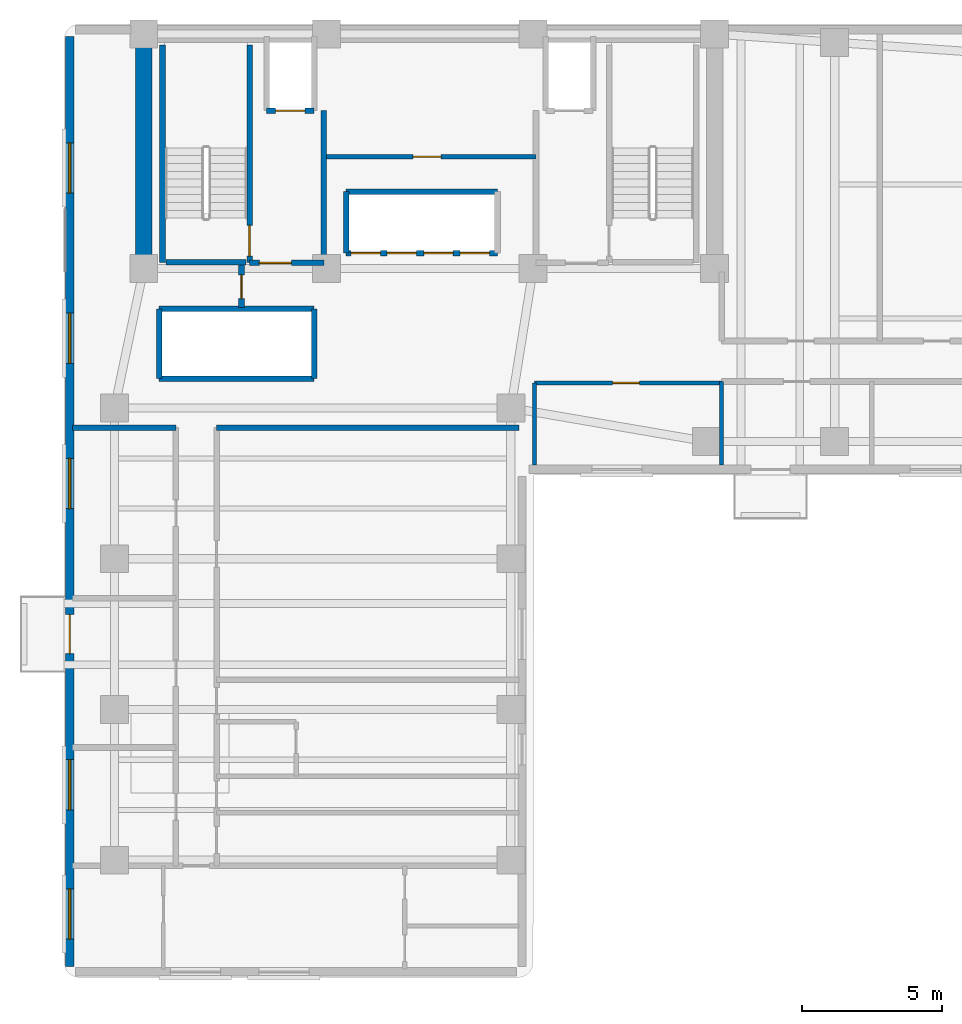
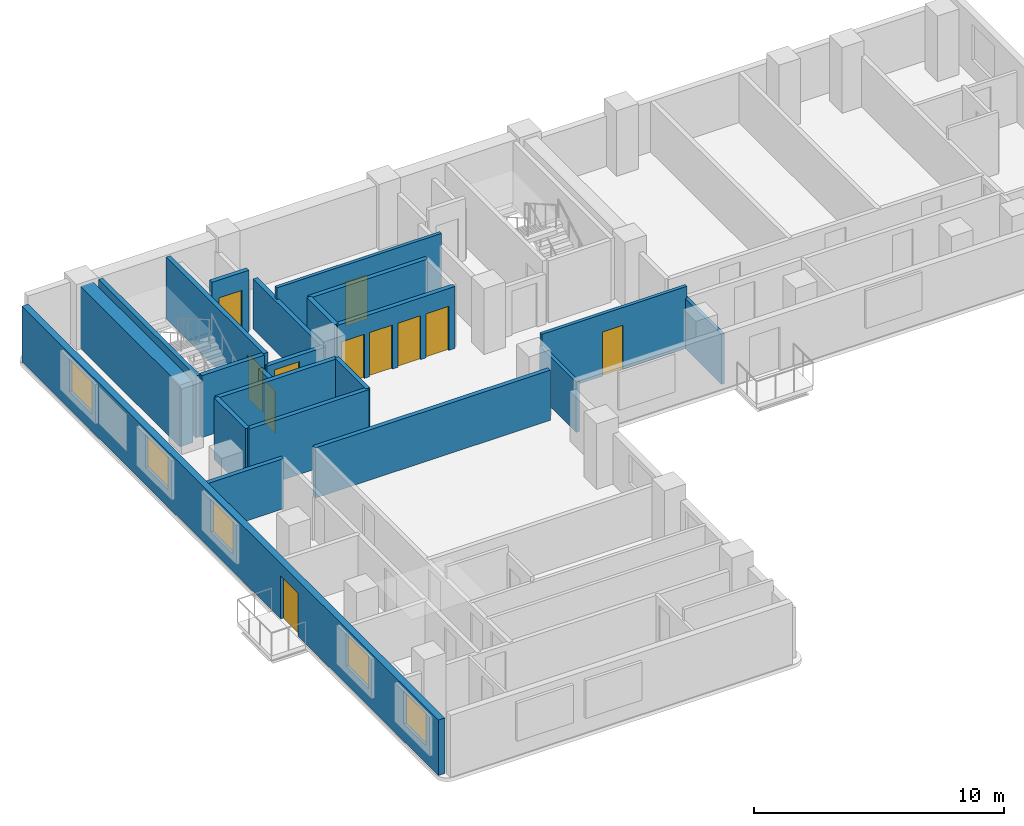
# One storey, part 3 of 7: 22 walls, 11 doors, 5 windows, 16 openings.
"""IFC4 building model written with IfcOpenShell, lengths in metres."""

from ifc_helpers import new_model, si_unit, direction, frame, frame_2d, origin, place, context, subcontext, project, spatial, rectangle, extrude, material, layer, layer_set, type_object, element, fill, save


model = new_model("IFC4")

# Units and contexts
model_context = context("Model", 3, precision=1e-05, world=origin(), true_north=direction((0.0, 1.0)))
body_context = subcontext(model_context, "Body", "Model", "MODEL_VIEW")
ifc_project = project(units=[si_unit("LENGTHUNIT", "METRE"), si_unit("AREAUNIT", "SQUARE_METRE"), si_unit("VOLUMEUNIT", "CUBIC_METRE"), si_unit("PLANEANGLEUNIT", "RADIAN"), si_unit("MASSUNIT", "GRAM", prefix="KILO")], contexts=[model_context])

# Site, building, storey
site_placement = place(None, origin())
site = spatial("IfcSite", under=ifc_project, at=site_placement, CompositionType="ELEMENT")
building_placement = place(site_placement, origin())
building = spatial("IfcBuilding", under=site, at=building_placement, Name="Kuzgunbayir Cultural Tower", CompositionType="ELEMENT")
storey_placement = place(building_placement, frame((0.0, 0.0, 126.60009765625)))
storey = spatial("IfcBuildingStorey", under=building, at=storey_placement, Name="L36", CompositionType="ELEMENT", Elevation=126.60009765625)

# Wall
ifc_material_1 = material(Name="Concrete C60/75", Category="concrete")
ifc_layer_1 = layer(ifc_material_1, 0.60009765625)
ifc_layer_set_1 = layer_set([ifc_layer_1], Name="Concrete C60/75")
wall_type_1 = type_object("IfcWallType", Name="WAL-CORE-600", PredefinedType="SHEAR", material=ifc_layer_set_1)
wall_1_placement = place(storey_placement, frame((6.449951171875, 33.800048828125, 0.0), z_axis=(0.0, 0.0, 1.0), x_axis=(0.0, 1.0, 0.0)))
element("IfcWall", 1, at=wall_1_placement, inside=storey, type_object=wall_type_1, Name="L36 T1 Core West Shear Wall", PredefinedType="SHEAR", context=body_context, shape_type="SweptSolid", body=[
    extrude(rectangle(XDim=7.949951171875, YDim=0.60009765625, at=frame_2d((3.97509765625, 0.0))), origin(), (0.0, 0.0, 1.0), 3.02001953125),
])

# Wall, openings, door, windows
ifc_material_2 = material(Name="Anatolian Cream Limestone", Category="masonry")
ifc_layer_2 = layer(ifc_material_2, 0.300048828125)
ifc_layer_set_2 = layer_set([ifc_layer_2], Name="Anatolian Cream Limestone")
wall_type_2 = type_object("IfcWallType", Name="WAL-EXT-STONE-300", PredefinedType="STANDARD", material=ifc_layer_set_2)
wall_2_placement = place(storey_placement, frame((3.800048828125, 42.10009765625, 0.0), z_axis=(0.0, 0.0, 1.0), x_axis=(0.0, -1.0, 0.0)))
wall_2 = element("IfcWall", 2, at=wall_2_placement, inside=storey, type_object=wall_type_2, Name="L36 Wing A West Limestone Wall", PredefinedType="STANDARD", context=body_context, shape_type="SweptSolid", body=[
    extrude(rectangle(XDim=33.300048828125, YDim=0.300048828125, at=frame_2d((16.64990234375, 0.0))), origin(), (0.0, 0.0, 1.0), 2.7099609375),
])
opening_1_placement = place(wall_2_placement, frame((20.699951171875, 0.0, 0.0)))
opening_1 = element("IfcOpeningElement", 3, at=opening_1_placement, cuts=wall_2, Name="Opening BD-15", PredefinedType="OPENING", context=body_context, shape_type="SweptSolid", body=[
    extrude(rectangle(XDim=1.39990234375, YDim=2.10009765625, at=frame_2d((0.699951171875, 1.050048828125))), frame((0.0, 0.16015625, 0.0), z_axis=(0.0, -1.0, 0.0), x_axis=(1.0, 0.0, 0.0)), (0.0, 0.0, 1.0), 0.320068359375),
])
opening_2_placement = place(wall_2_placement, frame((30.530029296875, 0.0, 0.85009765625)))
opening_2 = element("IfcOpeningElement", 4, at=opening_2_placement, cuts=wall_2, Name="Opening WH-18", PredefinedType="OPENING", context=body_context, shape_type="SweptSolid", body=[
    extrude(rectangle(XDim=1.800048828125, YDim=1.610107421875, at=frame_2d((0.89990234375, 0.80517578125))), frame((0.0, 0.16015625, 0.0), z_axis=(0.0, -1.0, 0.0), x_axis=(1.0, 0.0, 0.0)), (0.0, 0.0, 1.0), 0.320068359375),
])
opening_3_placement = place(wall_2_placement, frame((25.89990234375, 0.0, 0.85009765625)))
opening_3 = element("IfcOpeningElement", 5, at=opening_3_placement, cuts=wall_2, Name="Opening WH-18", PredefinedType="OPENING", context=body_context, shape_type="SweptSolid", body=[
    extrude(rectangle(XDim=1.800048828125, YDim=1.610107421875, at=frame_2d((0.89990234375, 0.80517578125))), frame((0.0, 0.16015625, 0.0), z_axis=(0.0, -1.0, 0.0), x_axis=(1.0, 0.0, 0.0)), (0.0, 0.0, 1.0), 0.320068359375),
])
opening_4_placement = place(wall_2_placement, frame((15.10009765625, 0.0, 0.85009765625)))
opening_4 = element("IfcOpeningElement", 6, at=opening_4_placement, cuts=wall_2, Name="Opening WH-18", PredefinedType="OPENING", context=body_context, shape_type="SweptSolid", body=[
    extrude(rectangle(XDim=1.800048828125, YDim=1.610107421875, at=frame_2d((0.89990234375, 0.80517578125))), frame((0.0, 0.16015625, 0.0), z_axis=(0.0, -1.0, 0.0), x_axis=(1.0, 0.0, 0.0)), (0.0, 0.0, 1.0), 0.320068359375),
])
opening_5_placement = place(wall_2_placement, frame((9.89990234375, 0.0, 0.85009765625)))
opening_5 = element("IfcOpeningElement", 7, at=opening_5_placement, cuts=wall_2, Name="Opening WH-18", PredefinedType="OPENING", context=body_context, shape_type="SweptSolid", body=[
    extrude(rectangle(XDim=1.800048828125, YDim=1.610107421875, at=frame_2d((0.89990234375, 0.80517578125))), frame((0.0, 0.16015625, 0.0), z_axis=(0.0, -1.0, 0.0), x_axis=(1.0, 0.0, 0.0)), (0.0, 0.0, 1.0), 0.320068359375),
])
opening_6_placement = place(wall_2_placement, frame((3.800048828125, 0.0, 0.85009765625)))
opening_6 = element("IfcOpeningElement", 8, at=opening_6_placement, cuts=wall_2, Name="Opening WH-18", PredefinedType="OPENING", context=body_context, shape_type="SweptSolid", body=[
    extrude(rectangle(XDim=1.800048828125, YDim=1.610107421875, at=frame_2d((0.89990234375, 0.80517578125))), frame((0.0, 0.16015625, 0.0), z_axis=(0.0, -1.0, 0.0), x_axis=(1.0, 0.0, 0.0)), (0.0, 0.0, 1.0), 0.320068359375),
])
ifc_material_3 = material(Name="Thermally Broken Glazed Aluminium", Category="aluminium")
door_type_1 = type_object("IfcDoorType", Name="DR-BALCONY-150", OperationType="SLIDING_TO_RIGHT", PredefinedType="DOOR", material=ifc_material_3)
door_1_placement = place(opening_1_placement, origin())
door_1 = element("IfcDoor", 9, at=door_1_placement, inside=storey, type_object=door_type_1, Name="L36 West Balcony Sliding Door BAL-L36-WA2", OperationType="SLIDING_TO_RIGHT", OverallHeight=2.10009765625, OverallWidth=1.39990234375, PredefinedType="DOOR", context=body_context, shape_type="SweptSolid", body=[
    extrude(rectangle(XDim=1.39990234375, YDim=2.10009765625, at=frame_2d((0.699951171875, 1.050048828125))), frame((0.0, 0.02490234375, 0.0), z_axis=(0.0, -1.0, 0.0), x_axis=(1.0, 0.0, 0.0)), (0.0, 0.0, 1.0), 0.050048828125),
])
fill(opening_1, door_1)
ifc_material_4 = material(Name="Solar-Control Triple Glazing", Category="glass")
window_type = type_object("IfcWindowType", Name="WIN-HOTEL-18", PartitioningType="SINGLE_PANEL", PredefinedType="WINDOW", material=ifc_material_4)
window_1_placement = place(opening_2_placement, origin())
window_1 = element("IfcWindow", 10, at=window_1_placement, inside=storey, type_object=window_type, Name="L36 WAW Facade Window 1", OverallHeight=1.610107421875, OverallWidth=1.800048828125, PartitioningType="SINGLE_PANEL", PredefinedType="WINDOW", context=body_context, shape_type="SweptSolid", body=[
    extrude(rectangle(XDim=1.800048828125, YDim=1.610107421875, at=frame_2d((0.89990234375, 0.80517578125))), frame((0.0, 0.030029296875, 0.0), z_axis=(0.0, -1.0, 0.0), x_axis=(1.0, 0.0, 0.0)), (0.0, 0.0, 1.0), 0.06005859375),
])
fill(opening_2, window_1)
window_2_placement = place(opening_3_placement, origin())
window_2 = element("IfcWindow", 11, at=window_2_placement, inside=storey, type_object=window_type, Name="L36 WAW Facade Window 6", OverallHeight=1.610107421875, OverallWidth=1.800048828125, PartitioningType="SINGLE_PANEL", PredefinedType="WINDOW", context=body_context, shape_type="SweptSolid", body=[
    extrude(rectangle(XDim=1.800048828125, YDim=1.610107421875, at=frame_2d((0.89990234375, 0.80517578125))), frame((0.0, 0.030029296875, 0.0), z_axis=(0.0, -1.0, 0.0), x_axis=(1.0, 0.0, 0.0)), (0.0, 0.0, 1.0), 0.06005859375),
])
fill(opening_3, window_2)
window_3_placement = place(opening_4_placement, origin())
window_3 = element("IfcWindow", 12, at=window_3_placement, inside=storey, type_object=window_type, Name="L36 WAW Facade Window 7", OverallHeight=1.610107421875, OverallWidth=1.800048828125, PartitioningType="SINGLE_PANEL", PredefinedType="WINDOW", context=body_context, shape_type="SweptSolid", body=[
    extrude(rectangle(XDim=1.800048828125, YDim=1.610107421875, at=frame_2d((0.89990234375, 0.80517578125))), frame((0.0, 0.030029296875, 0.0), z_axis=(0.0, -1.0, 0.0), x_axis=(1.0, 0.0, 0.0)), (0.0, 0.0, 1.0), 0.06005859375),
])
fill(opening_4, window_3)
window_4_placement = place(opening_5_placement, origin())
window_4 = element("IfcWindow", 13, at=window_4_placement, inside=storey, type_object=window_type, Name="L36 WAW Facade Window 8", OverallHeight=1.610107421875, OverallWidth=1.800048828125, PartitioningType="SINGLE_PANEL", PredefinedType="WINDOW", context=body_context, shape_type="SweptSolid", body=[
    extrude(rectangle(XDim=1.800048828125, YDim=1.610107421875, at=frame_2d((0.89990234375, 0.80517578125))), frame((0.0, 0.030029296875, 0.0), z_axis=(0.0, -1.0, 0.0), x_axis=(1.0, 0.0, 0.0)), (0.0, 0.0, 1.0), 0.06005859375),
])
fill(opening_5, window_4)
window_5_placement = place(opening_6_placement, origin())
window_5 = element("IfcWindow", 14, at=window_5_placement, inside=storey, type_object=window_type, Name="L36 WAW Facade Window 9", OverallHeight=1.610107421875, OverallWidth=1.800048828125, PartitioningType="SINGLE_PANEL", PredefinedType="WINDOW", context=body_context, shape_type="SweptSolid", body=[
    extrude(rectangle(XDim=1.800048828125, YDim=1.610107421875, at=frame_2d((0.89990234375, 0.80517578125))), frame((0.0, 0.030029296875, 0.0), z_axis=(0.0, -1.0, 0.0), x_axis=(1.0, 0.0, 0.0)), (0.0, 0.0, 1.0), 0.06005859375),
])
fill(opening_6, window_5)

# Wall, opening, door
ifc_material_5 = material(Name="Acoustic Double-Stud Drywall", Category="gypsum")
ifc_layer_3 = layer(ifc_material_5, 0.14990234375)
ifc_layer_set_3 = layer_set([ifc_layer_3], Name="Acoustic Double-Stud Drywall")
wall_type_3 = type_object("IfcWallType", Name="WAL-PART-ACOUSTIC-150", PredefinedType="PARTITIONING", material=ifc_layer_set_3)
wall_3_placement = place(storey_placement, frame((12.89990234375, 37.800048828125, 0.0), z_axis=(0.0, 0.0, 1.0), x_axis=(1.0, 0.0, 0.0)))
wall_3 = element("IfcWall", 15, at=wall_3_placement, inside=storey, type_object=wall_type_3, Name="L36 Repurposed Core Suite Wall", PredefinedType="PARTITIONING", context=body_context, shape_type="SweptSolid", body=[
    extrude(rectangle(XDim=7.60009765625, YDim=0.14990234375, at=frame_2d((3.800048828125, 0.0))), origin(), (0.0, 0.0, 1.0), 3.02001953125),
])
opening_7_placement = place(wall_3_placement, frame((3.199951171875, 0.0, 0.0)))
opening_7 = element("IfcOpeningElement", 16, at=opening_7_placement, cuts=wall_3, Name="Opening DC-100", PredefinedType="OPENING", context=body_context, shape_type="SweptSolid", body=[
    extrude(rectangle(XDim=1.0, YDim=2.14990234375, at=frame_2d((0.5, 1.074951171875))), frame((0.0, 0.0849609375, 0.0), z_axis=(0.0, -1.0, 0.0), x_axis=(1.0, 0.0, 0.0)), (0.0, 0.0, 1.0), 0.169921875),
])
ifc_material_6 = material(Name="Fire-Rated Veneered Oak Leaf", Category="wood")
door_type_2 = type_object("IfcDoorType", Name="DR-CORE-100", OperationType="NOTDEFINED", PredefinedType="DOOR", material=ifc_material_6)
door_2_placement = place(opening_7_placement, origin())
door_2 = element("IfcDoor", 17, at=door_2_placement, inside=storey, type_object=door_type_2, Name="L36 Core Reading Salon Door", OperationType="SINGLE_SWING_RIGHT", OverallHeight=2.14990234375, OverallWidth=1.0, PredefinedType="DOOR", context=body_context, shape_type="SweptSolid", body=[
    extrude(rectangle(XDim=1.0, YDim=2.14990234375, at=frame_2d((0.5, 1.074951171875))), frame((0.0, 0.02490234375, 0.0), z_axis=(0.0, -1.0, 0.0), x_axis=(1.0, 0.0, 0.0)), (0.0, 0.0, 1.0), 0.050048828125),
])
fill(opening_7, door_2)

wall_4_placement = place(storey_placement, frame((20.449951171875, 29.699951171875, 0.0), z_axis=(0.0, 0.0, 1.0), x_axis=(1.0, 0.0, 0.0)))
wall_4 = element("IfcWall", 18, at=wall_4_placement, inside=storey, type_object=wall_type_3, Name="L36 Waist Alcove North Wall", PredefinedType="PARTITIONING", context=body_context, shape_type="SweptSolid", body=[
    extrude(rectangle(XDim=6.699951171875, YDim=0.14990234375, at=frame_2d((3.35009765625, 0.0))), origin(), (0.0, 0.0, 1.0), 3.02001953125),
])
opening_8_placement = place(wall_4_placement, frame((2.800048828125, 0.0, 0.0)))
opening_8 = element("IfcOpeningElement", 19, at=opening_8_placement, cuts=wall_4, Name="Opening DI-90", PredefinedType="OPENING", context=body_context, shape_type="SweptSolid", body=[
    extrude(rectangle(XDim=0.949951171875, YDim=2.14990234375, at=frame_2d((0.47509765625, 1.074951171875))), frame((0.0, 0.0849609375, 0.0), z_axis=(0.0, -1.0, 0.0), x_axis=(1.0, 0.0, 0.0)), (0.0, 0.0, 1.0), 0.169921875),
])
ifc_material_7 = material(Name="Veneered Oak Single Leaf", Category="wood")
door_type_3 = type_object("IfcDoorType", Name="DR-INT-90", OperationType="NOTDEFINED", PredefinedType="DOOR", material=ifc_material_7)
door_3_placement = place(opening_8_placement, origin())
door_3 = element("IfcDoor", 20, at=door_3_placement, inside=storey, type_object=door_type_3, Name="L36 Waist Alcove Door", OperationType="SINGLE_SWING_RIGHT", OverallHeight=2.14990234375, OverallWidth=0.949951171875, PredefinedType="DOOR", context=body_context, shape_type="SweptSolid", body=[
    extrude(rectangle(XDim=0.949951171875, YDim=2.14990234375, at=frame_2d((0.47509765625, 1.074951171875))), frame((0.0, 0.02490234375, 0.0), z_axis=(0.0, -1.0, 0.0), x_axis=(1.0, 0.0, 0.0)), (0.0, 0.0, 1.0), 0.050048828125),
])
fill(opening_8, door_3)

# Walls
wall_5_placement = place(storey_placement, frame((20.449951171875, 26.75, 0.0), z_axis=(0.0, 0.0, 1.0), x_axis=(0.0, 1.0, 0.0)))
element("IfcWall", 21, at=wall_5_placement, inside=storey, type_object=wall_type_3, Name="L36 Waist Alcove West Wall", PredefinedType="PARTITIONING", context=body_context, shape_type="SweptSolid", body=[
    extrude(rectangle(XDim=2.949951171875, YDim=0.14990234375, at=frame_2d((1.47509765625, 0.0))), origin(), (0.0, 0.0, 1.0), 2.449951171875),
])
wall_6_placement = place(storey_placement, frame((27.14990234375, 26.75, 0.0), z_axis=(0.0, 0.0, 1.0), x_axis=(0.0, 1.0, 0.0)))
element("IfcWall", 22, at=wall_6_placement, inside=storey, type_object=wall_type_3, Name="L36 Waist Alcove East Wall", PredefinedType="PARTITIONING", context=body_context, shape_type="SweptSolid", body=[
    extrude(rectangle(XDim=3.0, YDim=0.14990234375, at=frame_2d((1.5, 0.0))), origin(), (0.0, 0.0, 1.0), 2.449951171875),
])
ifc_material_8 = material(Name="Aerated Concrete Blockwork", Category="masonry")
ifc_layer_4 = layer(ifc_material_8, 0.199951171875)
ifc_layer_set_4 = layer_set([ifc_layer_4], Name="Aerated Concrete Blockwork")
wall_type_4 = type_object("IfcWallType", Name="WAL-PART-FIRE-200", PredefinedType="PARTITIONING", material=ifc_layer_set_4)
wall_7_placement = place(storey_placement, frame((12.89990234375, 34.0, 0.0), z_axis=(0.0, 0.0, 1.0), x_axis=(0.0, 1.0, 0.0)))
element("IfcWall", 23, at=wall_7_placement, inside=storey, type_object=wall_type_4, Name="L36 FFL-1 Lobby East Fire Wall", PredefinedType="PARTITIONING", context=body_context, shape_type="SweptSolid", body=[
    extrude(rectangle(XDim=5.449951171875, YDim=0.199951171875, at=frame_2d((2.72509765625, 0.0))), origin(), (0.0, 0.0, 1.0), 2.449951171875),
])

# Wall, opening, door
wall_8_placement = place(storey_placement, frame((10.239990234375, 34.0, 0.0), z_axis=(0.0, 0.0, 1.0), x_axis=(1.0, 0.0, 0.0)))
wall_8 = element("IfcWall", 24, at=wall_8_placement, inside=storey, type_object=wall_type_4, Name="L36 FFL-1 Lobby South Fire Wall", PredefinedType="PARTITIONING", context=body_context, shape_type="SweptSolid", body=[
    extrude(rectangle(XDim=2.659912109375, YDim=0.199951171875, at=frame_2d((1.330078125, 0.0))), origin(), (0.0, 0.0, 1.0), 2.449951171875),
])
opening_9_placement = place(wall_8_placement, frame((0.35009765625, 0.0, 0.0)))
opening_9 = element("IfcOpeningElement", 25, at=opening_9_placement, cuts=wall_8, Name="Opening DR-FFL-90", PredefinedType="OPENING", context=body_context, shape_type="SweptSolid", body=[
    extrude(rectangle(XDim=1.14990234375, YDim=2.14990234375, at=frame_2d((0.574951171875, 1.074951171875))), frame((0.0, 0.10986328125, 0.0), z_axis=(0.0, -1.0, 0.0), x_axis=(1.0, 0.0, 0.0)), (0.0, 0.0, 1.0), 0.219970703125),
])
ifc_material_9 = material(Name="Steel S355J2", Category="steel")
door_type_4 = type_object("IfcDoorType", Name="DR-FFL-90", OperationType="NOTDEFINED", PredefinedType="DOOR", material=ifc_material_9)
door_4_placement = place(opening_9_placement, origin())
door_4 = element("IfcDoor", 26, at=door_4_placement, inside=storey, type_object=door_type_4, Name="L36 Firefighting Lobby 1 Door", OperationType="SINGLE_SWING_LEFT", OverallHeight=2.14990234375, OverallWidth=1.14990234375, PredefinedType="DOOR", context=body_context, shape_type="SweptSolid", body=[
    extrude(rectangle(XDim=1.14990234375, YDim=2.14990234375, at=frame_2d((0.574951171875, 1.074951171875))), frame((0.0, 0.02490234375, 0.0), z_axis=(0.0, -1.0, 0.0), x_axis=(1.0, 0.0, 0.0)), (0.0, 0.0, 1.0), 0.050048828125),
])
fill(opening_9, door_4)

wall_9_placement = place(storey_placement, frame((9.949951171875, 32.39990234375, 0.0), z_axis=(0.0, 0.0, 1.0), x_axis=(0.0, 1.0, 0.0)))
wall_9 = element("IfcWall", 27, at=wall_9_placement, inside=storey, type_object=wall_type_4, Name="L36 West Core Service Closet Wall", PredefinedType="PARTITIONING", context=body_context, shape_type="SweptSolid", body=[
    extrude(rectangle(XDim=1.52001953125, YDim=0.199951171875, at=frame_2d((0.760009765625, 0.0))), origin(), (0.0, 0.0, 1.0), 2.449951171875),
])
opening_10_placement = place(wall_9_placement, frame((0.320068359375, 0.0, 0.0)))
opening_10 = element("IfcOpeningElement", 28, at=opening_10_placement, cuts=wall_9, Name="Opening DR-RSR-60", PredefinedType="OPENING", context=body_context, shape_type="SweptSolid", body=[
    extrude(rectangle(XDim=0.85009765625, YDim=2.050048828125, at=frame_2d((0.425048828125, 1.02490234375))), frame((0.0, 0.10986328125, 0.0), z_axis=(0.0, -1.0, 0.0), x_axis=(1.0, 0.0, 0.0)), (0.0, 0.0, 1.0), 0.219970703125),
])
ifc_material_10 = material(Name="Steel Access Leaf", Category="steel")
door_type_5 = type_object("IfcDoorType", Name="DR-RISER-60", OperationType="NOTDEFINED", PredefinedType="DOOR", material=ifc_material_10)
door_5_placement = place(opening_10_placement, origin())
door_5 = element("IfcDoor", 29, at=door_5_placement, inside=storey, type_object=door_type_5, Name="L36 Cleaner Utility Store Door", OperationType="SINGLE_SWING_LEFT", OverallHeight=2.050048828125, OverallWidth=0.85009765625, PredefinedType="DOOR", context=body_context, shape_type="SweptSolid", body=[
    extrude(rectangle(XDim=0.85009765625, YDim=2.050048828125, at=frame_2d((0.425048828125, 1.02490234375))), frame((0.0, 0.02490234375, 0.0), z_axis=(0.0, -1.0, 0.0), x_axis=(1.0, 0.0, 0.0)), (0.0, 0.0, 1.0), 0.050048828125),
])
fill(opening_10, door_5)

# Walls
wall_10_placement = place(storey_placement, frame((3.89990234375, 28.10009765625, 0.0), z_axis=(0.0, 0.0, 1.0), x_axis=(1.0, 0.0, 0.0)))
element("IfcWall", 30, at=wall_10_placement, inside=storey, type_object=wall_type_4, Name="L36 North West Partition", PredefinedType="PARTITIONING", context=body_context, shape_type="SweptSolid", body=[
    extrude(rectangle(XDim=3.7001953125, YDim=0.199951171875, at=frame_2d((1.85009765625, 0.0))), origin(), (0.0, 0.0, 1.0), 2.449951171875),
])
wall_11_placement = place(storey_placement, frame((9.06005859375, 28.10009765625, 0.0), z_axis=(0.0, 0.0, 1.0), x_axis=(1.0, 0.0, 0.0)))
element("IfcWall", 31, at=wall_11_placement, inside=storey, type_object=wall_type_4, Name="L36 North East Partition", PredefinedType="PARTITIONING", context=body_context, shape_type="SweptSolid", body=[
    extrude(rectangle(XDim=10.83984375, YDim=0.199951171875, at=frame_2d((5.419921875, 0.0))), origin(), (0.0, 0.0, 1.0), 2.449951171875),
])
ifc_material_11 = material(Name="Concrete C40/50", Category="concrete")
ifc_layer_5 = layer(ifc_material_11, 0.199951171875)
ifc_layer_set_5 = layer_set([ifc_layer_5], Name="Concrete C40/50")
wall_type_5 = type_object("IfcWallType", Name="WAL-SHAFT-200", PredefinedType="MOVABLE", material=ifc_layer_set_5)
for number, where, z_axis, x_axis, name in (
    (32, (7.0, 29.85009765625, 0.0), (0.0, 0.0, 1.0), (1.0, 0.0, 0.0), "L36 High-Rise Lift Shaft South Wall"),
    (33, (7.0, 32.35009765625, 0.0), (0.0, 0.0, 1.0), (1.0, 0.0, 0.0), "L36 High-Rise Lift Shaft North Wall"),
):
    element("IfcWall", number, at=place(storey_placement, frame(where, z_axis=z_axis, x_axis=x_axis)), inside=storey, type_object=wall_type_5, Name=name, PredefinedType="MOVABLE", context=body_context, shape_type="SweptSolid", body=[
        extrude(rectangle(XDim=5.550048828125, YDim=0.199951171875, at=frame_2d((2.77490234375, 0.0))), origin(), (0.0, 0.0, 1.0), 3.02001953125),
    ])
for number, where, z_axis, x_axis, name in (
    (34, (7.0, 29.85009765625, 0.0), (0.0, 0.0, 1.0), (0.0, 1.0, 0.0), "L36 High-Rise Lift Shaft West Wall"),
    (35, (12.550048828125, 29.85009765625, 0.0), (0.0, 0.0, 1.0), (0.0, 1.0, 0.0), "L36 High-Rise Lift Shaft East Wall"),
):
    element("IfcWall", number, at=place(storey_placement, frame(where, z_axis=z_axis, x_axis=x_axis)), inside=storey, type_object=wall_type_5, Name=name, PredefinedType="MOVABLE", context=body_context, shape_type="SweptSolid", body=[
        extrude(rectangle(XDim=2.5, YDim=0.199951171875, at=frame_2d((1.25, 0.0))), origin(), (0.0, 0.0, 1.0), 3.02001953125),
    ])

# Wall, opening, door
wall_12_placement = place(storey_placement, frame((10.85009765625, 39.449951171875, 0.0), z_axis=(0.0, 0.0, 1.0), x_axis=(1.0, 0.0, 0.0)))
wall_12 = element("IfcWall", 36, at=wall_12_placement, inside=storey, type_object=wall_type_5, Name="L36 FFL-1 Lift Front Wall", PredefinedType="MOVABLE", context=body_context, shape_type="SweptSolid", body=[
    extrude(rectangle(XDim=1.699951171875, YDim=0.199951171875, at=frame_2d((0.85009765625, 0.0))), origin(), (0.0, 0.0, 1.0), 3.02001953125),
])
opening_11_placement = place(wall_12_placement, frame((0.320068359375, 0.0, 0.0)))
opening_11 = element("IfcOpeningElement", 37, at=opening_11_placement, cuts=wall_12, Name="Opening LD", PredefinedType="OPENING", context=body_context, shape_type="SweptSolid", body=[
    extrude(rectangle(XDim=1.050048828125, YDim=2.14990234375, at=frame_2d((0.52490234375, 1.074951171875))), frame((0.0, 0.10986328125, 0.0), z_axis=(0.0, -1.0, 0.0), x_axis=(1.0, 0.0, 0.0)), (0.0, 0.0, 1.0), 0.219970703125),
])
ifc_material_12 = material(Name="Brushed Stainless Steel", Category="steel")
door_type_6 = type_object("IfcDoorType", Name="DR-LIFT-LANDING", OperationType="SLIDING_TO_LEFT", PredefinedType="DOOR", material=ifc_material_12)
door_6_placement = place(opening_11_placement, origin())
door_6 = element("IfcDoor", 38, at=door_6_placement, inside=storey, type_object=door_type_6, Name="L36 Lift FFL-1 Landing Door", OperationType="SLIDING_TO_LEFT", OverallHeight=2.14990234375, OverallWidth=1.050048828125, PredefinedType="DOOR", context=body_context, shape_type="SweptSolid", body=[
    extrude(rectangle(XDim=1.050048828125, YDim=2.14990234375, at=frame_2d((0.52490234375, 1.074951171875))), frame((0.0, 0.02490234375, 0.0), z_axis=(0.0, -1.0, 0.0), x_axis=(1.0, 0.0, 0.0)), (0.0, 0.0, 1.0), 0.050048828125),
])
fill(opening_11, door_6)

# Wall, openings, doors
wall_13_placement = place(storey_placement, frame((13.699951171875, 34.35009765625, 0.0), z_axis=(0.0, 0.0, 1.0), x_axis=(1.0, 0.0, 0.0)))
wall_13 = element("IfcWall", 39, at=wall_13_placement, inside=storey, type_object=wall_type_5, Name="L36 Mid-Rise Lift Front Wall", PredefinedType="MOVABLE", context=body_context, shape_type="SweptSolid", body=[
    extrude(rectangle(XDim=5.420166015625, YDim=0.199951171875, at=frame_2d((2.7099609375, 0.0))), origin(), (0.0, 0.0, 1.0), 3.02001953125),
])
opening_12_placement = place(wall_13_placement, frame((0.179931640625, 0.0, 0.0)))
opening_12 = element("IfcOpeningElement", 40, at=opening_12_placement, cuts=wall_13, Name="Opening LD", PredefinedType="OPENING", context=body_context, shape_type="SweptSolid", body=[
    extrude(rectangle(XDim=1.050048828125, YDim=2.14990234375, at=frame_2d((0.52490234375, 1.074951171875))), frame((0.0, 0.10986328125, 0.0), z_axis=(0.0, -1.0, 0.0), x_axis=(1.0, 0.0, 0.0)), (0.0, 0.0, 1.0), 0.219970703125),
])
opening_13_placement = place(wall_13_placement, frame((1.469970703125, 0.0, 0.0)))
opening_13 = element("IfcOpeningElement", 41, at=opening_13_placement, cuts=wall_13, Name="Opening LD", PredefinedType="OPENING", context=body_context, shape_type="SweptSolid", body=[
    extrude(rectangle(XDim=1.050048828125, YDim=2.14990234375, at=frame_2d((0.52490234375, 1.074951171875))), frame((0.0, 0.10986328125, 0.0), z_axis=(0.0, -1.0, 0.0), x_axis=(1.0, 0.0, 0.0)), (0.0, 0.0, 1.0), 0.219970703125),
])
opening_14_placement = place(wall_13_placement, frame((2.780029296875, 0.0, 0.0)))
opening_14 = element("IfcOpeningElement", 42, at=opening_14_placement, cuts=wall_13, Name="Opening LD", PredefinedType="OPENING", context=body_context, shape_type="SweptSolid", body=[
    extrude(rectangle(XDim=1.050048828125, YDim=2.14990234375, at=frame_2d((0.52490234375, 1.074951171875))), frame((0.0, 0.10986328125, 0.0), z_axis=(0.0, -1.0, 0.0), x_axis=(1.0, 0.0, 0.0)), (0.0, 0.0, 1.0), 0.219970703125),
])
opening_15_placement = place(wall_13_placement, frame((4.080078125, 0.0, 0.0)))
opening_15 = element("IfcOpeningElement", 43, at=opening_15_placement, cuts=wall_13, Name="Opening LD", PredefinedType="OPENING", context=body_context, shape_type="SweptSolid", body=[
    extrude(rectangle(XDim=1.050048828125, YDim=2.14990234375, at=frame_2d((0.52490234375, 1.074951171875))), frame((0.0, 0.10986328125, 0.0), z_axis=(0.0, -1.0, 0.0), x_axis=(1.0, 0.0, 0.0)), (0.0, 0.0, 1.0), 0.219970703125),
])
door_7_placement = place(opening_12_placement, origin())
door_7 = element("IfcDoor", 44, at=door_7_placement, inside=storey, type_object=door_type_6, Name="L36 Lift PM-1 Landing Door", OperationType="SLIDING_TO_LEFT", OverallHeight=2.14990234375, OverallWidth=1.050048828125, PredefinedType="DOOR", context=body_context, shape_type="SweptSolid", body=[
    extrude(rectangle(XDim=1.050048828125, YDim=2.14990234375, at=frame_2d((0.52490234375, 1.074951171875))), frame((0.0, 0.02490234375, 0.0), z_axis=(0.0, -1.0, 0.0), x_axis=(1.0, 0.0, 0.0)), (0.0, 0.0, 1.0), 0.050048828125),
])
fill(opening_12, door_7)
door_8_placement = place(opening_13_placement, origin())
door_8 = element("IfcDoor", 45, at=door_8_placement, inside=storey, type_object=door_type_6, Name="L36 Lift PM-2 Landing Door", OperationType="SLIDING_TO_LEFT", OverallHeight=2.14990234375, OverallWidth=1.050048828125, PredefinedType="DOOR", context=body_context, shape_type="SweptSolid", body=[
    extrude(rectangle(XDim=1.050048828125, YDim=2.14990234375, at=frame_2d((0.52490234375, 1.074951171875))), frame((0.0, 0.02490234375, 0.0), z_axis=(0.0, -1.0, 0.0), x_axis=(1.0, 0.0, 0.0)), (0.0, 0.0, 1.0), 0.050048828125),
])
fill(opening_13, door_8)
door_9_placement = place(opening_14_placement, origin())
door_9 = element("IfcDoor", 46, at=door_9_placement, inside=storey, type_object=door_type_6, Name="L36 Lift PM-3 Landing Door", OperationType="SLIDING_TO_LEFT", OverallHeight=2.14990234375, OverallWidth=1.050048828125, PredefinedType="DOOR", context=body_context, shape_type="SweptSolid", body=[
    extrude(rectangle(XDim=1.050048828125, YDim=2.14990234375, at=frame_2d((0.52490234375, 1.074951171875))), frame((0.0, 0.02490234375, 0.0), z_axis=(0.0, -1.0, 0.0), x_axis=(1.0, 0.0, 0.0)), (0.0, 0.0, 1.0), 0.050048828125),
])
fill(opening_14, door_9)
door_10_placement = place(opening_15_placement, origin())
door_10 = element("IfcDoor", 47, at=door_10_placement, inside=storey, type_object=door_type_6, Name="L36 Lift PM-4 Landing Door", OperationType="SLIDING_TO_LEFT", OverallHeight=2.14990234375, OverallWidth=1.050048828125, PredefinedType="DOOR", context=body_context, shape_type="SweptSolid", body=[
    extrude(rectangle(XDim=1.050048828125, YDim=2.14990234375, at=frame_2d((0.52490234375, 1.074951171875))), frame((0.0, 0.02490234375, 0.0), z_axis=(0.0, -1.0, 0.0), x_axis=(1.0, 0.0, 0.0)), (0.0, 0.0, 1.0), 0.050048828125),
])
fill(opening_15, door_10)

# Walls
wall_14_placement = place(storey_placement, frame((13.699951171875, 36.550048828125, 0.0), z_axis=(0.0, 0.0, 1.0), x_axis=(1.0, 0.0, 0.0)))
element("IfcWall", 48, at=wall_14_placement, inside=storey, type_object=wall_type_5, Name="L36 Mid-Rise Lift Shaft North Wall", PredefinedType="MOVABLE", context=body_context, shape_type="SweptSolid", body=[
    extrude(rectangle(XDim=5.420166015625, YDim=0.199951171875, at=frame_2d((2.7099609375, 0.0))), origin(), (0.0, 0.0, 1.0), 3.02001953125),
])
wall_15_placement = place(storey_placement, frame((13.699951171875, 34.35009765625, 0.0), z_axis=(0.0, 0.0, 1.0), x_axis=(0.0, 1.0, 0.0)))
element("IfcWall", 49, at=wall_15_placement, inside=storey, type_object=wall_type_5, Name="L36 Mid-Rise Lift Shaft West Wall", PredefinedType="MOVABLE", context=body_context, shape_type="SweptSolid", body=[
    extrude(rectangle(XDim=2.199951171875, YDim=0.199951171875, at=frame_2d((1.10009765625, 0.0))), origin(), (0.0, 0.0, 1.0), 3.02001953125),
])
ifc_layer_6 = layer(ifc_material_11, 0.199951171875)
ifc_layer_set_6 = layer_set([ifc_layer_6], Name="Concrete C40/50")
wall_type_6 = type_object("IfcWallType", Name="WAL-STAIR-RC-200", PredefinedType="SHEAR", material=ifc_layer_set_6)
wall_16_placement = place(storey_placement, frame((7.1201171875, 34.02001953125, 0.0), z_axis=(0.0, 0.0, 1.0), x_axis=(0.0, 1.0, 0.0)))
element("IfcWall", 50, at=wall_16_placement, inside=storey, type_object=wall_type_6, Name="L36 Stair ST-1 West Structural Wall", PredefinedType="SHEAR", context=body_context, shape_type="SweptSolid", body=[
    extrude(rectangle(XDim=7.780029296875, YDim=0.199951171875, at=frame_2d((3.89013671875, 0.0))), origin(), (0.0, 0.0, 1.0), 3.02001953125),
])

# Wall, opening, door
wall_17_placement = place(storey_placement, frame((10.239990234375, 34.02001953125, 0.0), z_axis=(0.0, 0.0, 1.0), x_axis=(0.0, 1.0, 0.0)))
wall_17 = element("IfcWall", 51, at=wall_17_placement, inside=storey, type_object=wall_type_6, Name="L36 Stair ST-1 East Structural Wall", PredefinedType="SHEAR", context=body_context, shape_type="SweptSolid", body=[
    extrude(rectangle(XDim=7.780029296875, YDim=0.199951171875, at=frame_2d((3.89013671875, 0.0))), origin(), (0.0, 0.0, 1.0), 3.02001953125),
])
opening_16_placement = place(wall_17_placement, frame((0.219970703125, 0.0, 0.0)))
opening_16 = element("IfcOpeningElement", 52, at=opening_16_placement, cuts=wall_17, Name="Opening DR-STAIR-90", PredefinedType="OPENING", context=body_context, shape_type="SweptSolid", body=[
    extrude(rectangle(XDim=1.10009765625, YDim=2.14990234375, at=frame_2d((0.550048828125, 1.074951171875))), frame((0.0, 0.10986328125, 0.0), z_axis=(0.0, -1.0, 0.0), x_axis=(1.0, 0.0, 0.0)), (0.0, 0.0, 1.0), 0.219970703125),
])
door_type_7 = type_object("IfcDoorType", Name="DR-STAIR-90", OperationType="NOTDEFINED", PredefinedType="DOOR", material=ifc_material_9)
door_11_placement = place(opening_16_placement, origin())
door_11 = element("IfcDoor", 53, at=door_11_placement, inside=storey, type_object=door_type_7, Name="L36 Stair ST-1 Fire Door", OperationType="SINGLE_SWING_RIGHT", OverallHeight=2.14990234375, OverallWidth=1.10009765625, PredefinedType="DOOR", context=body_context, shape_type="SweptSolid", body=[
    extrude(rectangle(XDim=1.10009765625, YDim=2.14990234375, at=frame_2d((0.550048828125, 1.074951171875))), frame((0.0, 0.02490234375, 0.0), z_axis=(0.0, -1.0, 0.0), x_axis=(1.0, 0.0, 0.0)), (0.0, 0.0, 1.0), 0.050048828125),
])
fill(opening_16, door_11)

# Wall
wall_18_placement = place(storey_placement, frame((7.239990234375, 34.02001953125, 0.0), z_axis=(0.0, 0.0, 1.0), x_axis=(1.0, 0.0, 0.0)))
element("IfcWall", 54, at=wall_18_placement, inside=storey, type_object=wall_type_6, Name="L36 Stair ST-1 South Structural Wall", PredefinedType="SHEAR", context=body_context, shape_type="SweptSolid", body=[
    extrude(rectangle(XDim=2.880126953125, YDim=0.199951171875, at=frame_2d((1.43994140625, 0.0))), origin(), (0.0, 0.0, 1.0), 3.02001953125),
])

save(model, "model.ifc")
